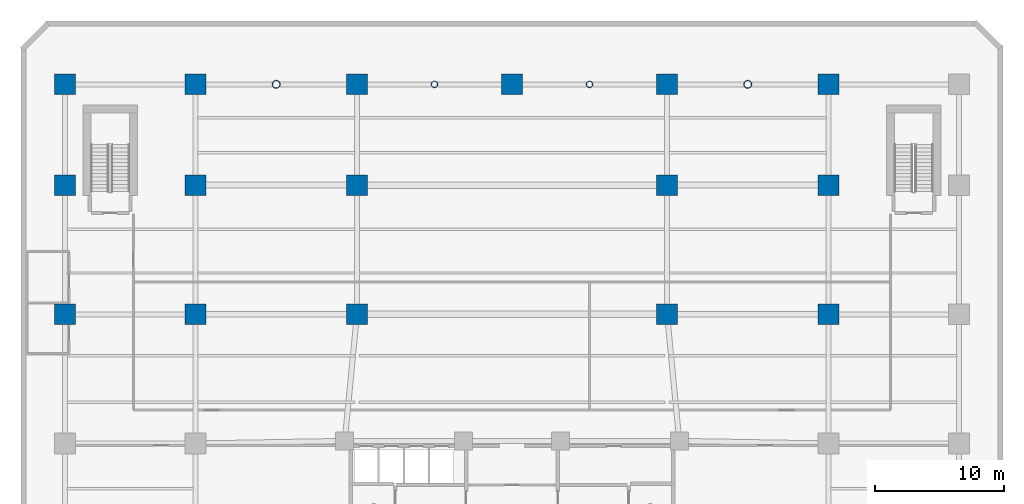
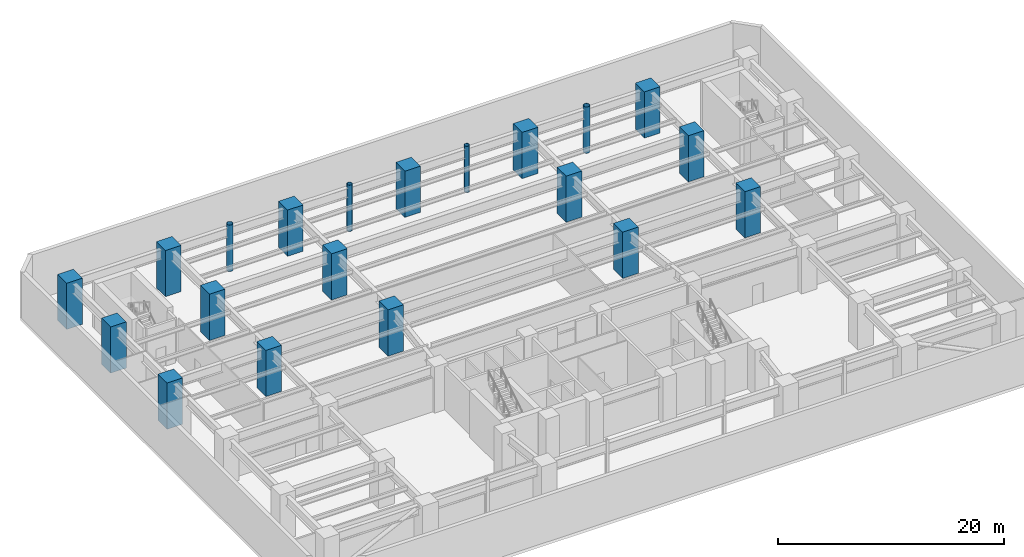
# One storey, part 3 of 12: 20 columns.
"""IFC4 building model written with IfcOpenShell, lengths in metres."""

from ifc_helpers import new_model, si_unit, direction, frame, origin, origin_2d, place, context, subcontext, project, spatial, rectangle, hollow_circle, extrude, material, material_profile, profile_set, type_object, element, save


model = new_model("IFC4")

# Units and contexts
model_context = context("Model", 3, precision=1e-05, world=origin(), true_north=direction((0.0, 1.0)))
body_context = subcontext(model_context, "Body", "Model", "MODEL_VIEW")
ifc_project = project(units=[si_unit("LENGTHUNIT", "METRE"), si_unit("AREAUNIT", "SQUARE_METRE"), si_unit("VOLUMEUNIT", "CUBIC_METRE"), si_unit("PLANEANGLEUNIT", "RADIAN"), si_unit("MASSUNIT", "GRAM", prefix="KILO")], contexts=[model_context])

# Site, building, storey
site_placement = place(None, origin())
site = spatial("IfcSite", under=ifc_project, at=site_placement, CompositionType="ELEMENT")
building_placement = place(site_placement, origin())
building = spatial("IfcBuilding", under=site, at=building_placement, Name="Quenlor Broadcast Tower", CompositionType="ELEMENT")
storey_placement = place(building_placement, frame((0.0, 0.0, -5.0)))
storey = spatial("IfcBuildingStorey", under=building, at=storey_placement, Name="B01", CompositionType="ELEMENT", Elevation=-5.0)

# Columns
ifc_material_1 = material(Name="Concrete C65/80", Category="concrete")
ifc_material_profile_1 = material_profile(ifc_material_1, rectangle(XDim=1.60009765625, YDim=1.60009765625, at=origin_2d()))
ifc_profile_set_1 = profile_set([ifc_material_profile_1], Name="Concrete C65/80 RC1600x1600")
column_type_1 = type_object("IfcColumnType", Name="Podium Mega Column Concrete C65/80 1600", PredefinedType="COLUMN", material=ifc_profile_set_1)
for number, where, z_axis, x_axis, name in (
    (1, (-34.60009765625, 5.0, 0.0), (0.0, 0.0, 1.0), (1.0, 0.0, 0.0), "B01 Podium Mega Column PM15"),
    (2, (-24.5, 5.0, 0.0), (0.0, 0.0, 1.0), (1.0, 0.0, 0.0), "B01 Podium Mega Column PM16"),
    (3, (-12.0, 5.0, 0.0), (0.0, 0.0, 1.0), (1.0, 0.0, 0.0), "B01 Podium Mega Column PM17"),
    (4, (12.0, 5.0, 0.0), (0.0, 0.0, 1.0), (1.0, 0.0, 0.0), "B01 Podium Mega Column PM18"),
    (5, (24.5, 5.0, 0.0), (0.0, 0.0, 1.0), (1.0, 0.0, 0.0), "B01 Podium Mega Column PM19"),
    (6, (-34.60009765625, 15.0, 0.0), (0.0, 0.0, 1.0), (1.0, 0.0, 0.0), "B01 Podium Mega Column PM21"),
    (7, (-24.5, 15.0, 0.0), (0.0, 0.0, 1.0), (1.0, 0.0, 0.0), "B01 Podium Mega Column PM22"),
    (8, (-12.0, 15.0, 0.0), (0.0, 0.0, 1.0), (1.0, 0.0, 0.0), "B01 Podium Mega Column PM23"),
    (9, (12.0, 15.0, 0.0), (0.0, 0.0, 1.0), (1.0, 0.0, 0.0), "B01 Podium Mega Column PM24"),
    (10, (24.5, 15.0, 0.0), (0.0, 0.0, 1.0), (1.0, 0.0, 0.0), "B01 Podium Mega Column PM25"),
    (11, (-34.60009765625, 22.800048828125, 0.0), (0.0, 0.0, 1.0), (1.0, 0.0, 0.0), "B01 Podium Mega Column PM27"),
    (12, (-24.5, 22.800048828125, 0.0), (0.0, 0.0, 1.0), (1.0, 0.0, 0.0), "B01 Podium Mega Column PM28"),
    (13, (-12.0, 22.800048828125, 0.0), (0.0, 0.0, 1.0), (1.0, 0.0, 0.0), "B01 Podium Mega Column PM29"),
    (14, (0.0, 22.800048828125, 0.0), (0.0, 0.0, 1.0), (1.0, 0.0, 0.0), "B01 Podium Mega Column PM30"),
    (15, (12.0, 22.800048828125, 0.0), (0.0, 0.0, 1.0), (1.0, 0.0, 0.0), "B01 Podium Mega Column PM31"),
    (16, (24.5, 22.800048828125, 0.0), (0.0, 0.0, 1.0), (1.0, 0.0, 0.0), "B01 Podium Mega Column PM32"),
):
    element("IfcColumn", number, at=place(storey_placement, frame(where, z_axis=z_axis, x_axis=x_axis)), inside=storey, type_object=column_type_1, Name=name, PredefinedType="COLUMN", context=body_context, shape_type="SweptSolid", body=[
        extrude(rectangle(XDim=1.60009765625, YDim=1.60009765625, at=origin_2d()), origin(), (0.0, 0.0, 1.0), 5.0),
    ])
ifc_material_2 = material(Name="Steel S355", Category="steel")
ifc_material_profile_2 = material_profile(ifc_material_2, hollow_circle(Radius=0.304931640625, WallThickness=0.02490234375, at=origin_2d()))
ifc_profile_set_2 = profile_set([ifc_material_profile_2], Name="Steel S355 CHS610x25")
column_type_2 = type_object("IfcColumnType", Name="Station Concourse Column Steel S355 CHS610", PredefinedType="COLUMN", material=ifc_profile_set_2)
for number, where, z_axis, x_axis, name in (
    (17, (-18.25, 22.800048828125, 0.0), (0.0, 0.0, 1.0), (1.0, 0.0, 0.0), "B01 Station Steel Column SCW1"),
    (18, (18.25, 22.800048828125, 0.0), (0.0, 0.0, 1.0), (1.0, 0.0, 0.0), "B01 Station Steel Column SCE1"),
):
    element("IfcColumn", number, at=place(storey_placement, frame(where, z_axis=z_axis, x_axis=x_axis)), inside=storey, type_object=column_type_2, Name=name, PredefinedType="COLUMN", context=body_context, shape_type="SweptSolid", body=[
        extrude(hollow_circle(Radius=0.304931640625, WallThickness=0.02490234375, at=origin_2d()), origin(), (0.0, 0.0, 1.0), 5.0),
    ])
ifc_material_3 = material(Name="Steel S355", Category="steel")
ifc_material_profile_3 = material_profile(ifc_material_3, hollow_circle(Radius=0.25390625, WallThickness=0.02197265625, at=origin_2d()))
ifc_profile_set_3 = profile_set([ifc_material_profile_3], Name="Steel S355 CHS508x22")
column_type_3 = type_object("IfcColumnType", Name="Station Portal Column Steel S355 CHS508", PredefinedType="COLUMN", material=ifc_profile_set_3)
for number, where, z_axis, x_axis, name in (
    (19, (-6.0, 22.800048828125, 0.0), (0.0, 0.0, 1.0), (1.0, 0.0, 0.0), "B01 Station Steel Column SCW2"),
    (20, (6.0, 22.800048828125, 0.0), (0.0, 0.0, 1.0), (1.0, 0.0, 0.0), "B01 Station Steel Column SCE2"),
):
    element("IfcColumn", number, at=place(storey_placement, frame(where, z_axis=z_axis, x_axis=x_axis)), inside=storey, type_object=column_type_3, Name=name, PredefinedType="COLUMN", context=body_context, shape_type="SweptSolid", body=[
        extrude(hollow_circle(Radius=0.25390625, WallThickness=0.02197265625, at=origin_2d()), origin(), (0.0, 0.0, 1.0), 5.0),
    ])

save(model, "model.ifc")
